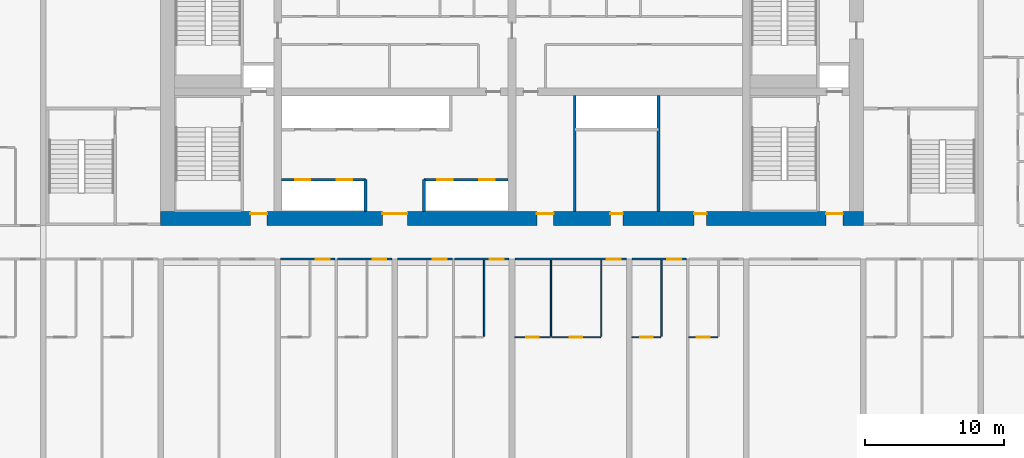
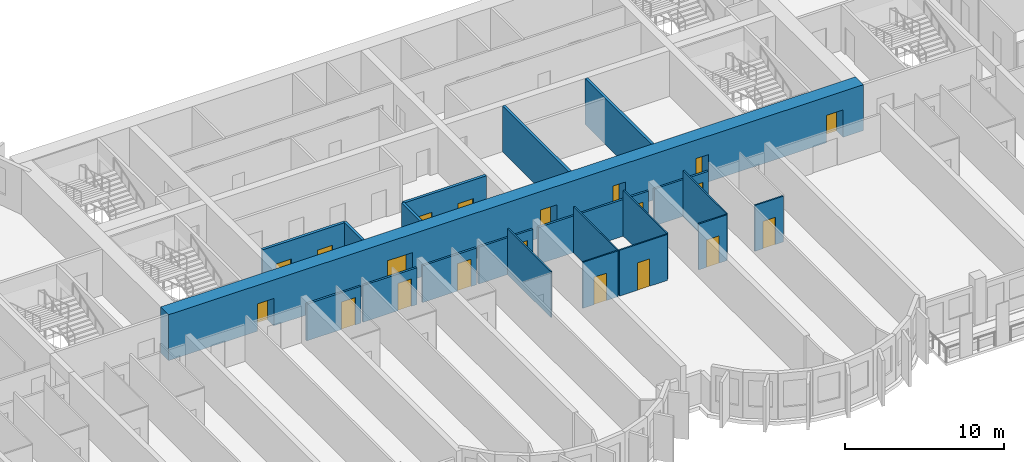
# One storey, part 5 of 15: 21 walls, 20 doors, 20 openings.
"""IFC4 building model written with IfcOpenShell, lengths in metres."""

import ifcopenshell
import ifcopenshell.guid

model = None  # the IFC model being written
_history = None  # IfcOwnerHistory: only IFC2X3 demands one
_inside = {}  # id of a spatial element -> (the spatial element, [elements in it])
_under = {}  # id of a project, library or spatial element -> (it, [spatial elements below it])
_declared = {}  # id of a project -> (the project, [libraries it declares])
_typed = {}  # id of a type object -> (the type object, [elements of that type])
_made_of = {}  # id of a material, layer set ... -> (it, [elements and type objects made of it])


def new_model(schema):
    """Start an empty IFC model of exactly this schema.

    Asked for "IFC4X3", IfcOpenShell would pick the latest addendum, in which some entities
    have other attributes; the version numbers below select the first issue.
    IFC2X3 requires an IfcOwnerHistory on every rooted entity: one is made here for all.
    """
    global model, _history
    if schema == "IFC4X3":
        model = ifcopenshell.file(schema_version=(4, 3, 0, 0))
    else:
        model = ifcopenshell.file(schema=schema)
    _inside.clear()
    _under.clear()
    _declared.clear()
    _typed.clear()
    _made_of.clear()
    _history = None
    if model.schema == "IFC2X3":
        org = make("IfcOrganization", Name="unknown")
        user = make(
            "IfcPersonAndOrganization",
            ThePerson=make("IfcPerson", FamilyName="unknown"),
            TheOrganization=org,
        )
        app = make(
            "IfcApplication",
            ApplicationDeveloper=org,
            Version="unknown",
            ApplicationFullName="unknown",
            ApplicationIdentifier="unknown",
        )
        _history = make(
            "IfcOwnerHistory",
            OwningUser=user,
            OwningApplication=app,
            ChangeAction="ADDED",
            CreationDate=0,
        )
    return model


def make(cls, **values):
    """One entity of the class cls with the attributes given. An attribute that is None is left unset."""
    return model.create_entity(
        cls, **{name: value for name, value in values.items() if value is not None}
    )


def rooted(cls, **values):
    """An entity with a GlobalId (a new one), such as an element, a storey or a relation."""
    return make(cls, GlobalId=ifcopenshell.guid.new(), OwnerHistory=_history, **values)


def si_unit(unit_type, name, prefix=None):
    """IfcSIUnit, for example si_unit("LENGTHUNIT", "METRE", prefix="MILLI")."""
    return make("IfcSIUnit", UnitType=unit_type, Prefix=prefix, Name=name)


def assignment(units):
    """IfcUnitAssignment: the units of a project."""
    return None if units is None else make("IfcUnitAssignment", Units=units)


def point(xyz):
    """IfcCartesianPoint."""
    return None if xyz is None else make("IfcCartesianPoint", Coordinates=xyz)


def direction(xyz):
    """IfcDirection."""
    return None if xyz is None else make("IfcDirection", DirectionRatios=xyz)


def frame(location, z_axis=None, x_axis=None):
    """IfcAxis2Placement3D, a coordinate frame: its origin and axes. An axis left out is left unset."""
    return make(
        "IfcAxis2Placement3D",
        Location=point(location),
        Axis=direction(z_axis),
        RefDirection=direction(x_axis),
    )


def frame_2d(location, x_axis=None):
    """IfcAxis2Placement2D, a coordinate frame in the plane: its origin and x axis."""
    return make(
        "IfcAxis2Placement2D", Location=point(location), RefDirection=direction(x_axis)
    )


def origin():
    """The frame at (0, 0, 0) with its axes left unset."""
    return frame((0.0, 0.0, 0.0))


def place(relative_to, where):
    """IfcLocalPlacement: puts the frame where relative to a parent placement (None: the world)."""
    return make(
        "IfcLocalPlacement", PlacementRelTo=relative_to, RelativePlacement=where
    )


def context(
    kind, dimensions, precision=None, world=None, true_north=None, identifier=None
):
    """IfcGeometricRepresentationContext, for example the 3D "Model" context."""
    return make(
        "IfcGeometricRepresentationContext",
        ContextIdentifier=identifier,
        ContextType=kind,
        CoordinateSpaceDimension=dimensions,
        Precision=precision,
        WorldCoordinateSystem=world,
        TrueNorth=true_north,
    )


def subcontext(parent, identifier, kind, view, scale=None):
    """IfcGeometricRepresentationSubContext, for example "Body" below "Model"."""
    return make(
        "IfcGeometricRepresentationSubContext",
        ContextIdentifier=identifier,
        ContextType=kind,
        ParentContext=parent,
        TargetScale=scale,
        TargetView=view,
    )


def project(units=None, contexts=None):
    """IfcProject with its units and contexts."""
    return rooted(
        "IfcProject",
        Name="project",
        RepresentationContexts=contexts,
        UnitsInContext=assignment(units),
    )


def spatial(cls, under=None, at=None, **own):
    """A site, building, storey or space (cls), placed at a placement, below another one or the project."""
    s = rooted(cls, ObjectPlacement=at, **own)
    if under is not None:
        _under.setdefault(under.id(), (under, []))[1].append(s)
    return s


def profile(cls, at=None, kind="AREA", **sizes):
    """A parametric profile (cls). Its sizes go by their IFC names, for example OverallWidth=200.0."""
    return make(cls, ProfileType=kind, Position=at, **sizes)


def rectangle(**sizes):
    """IfcRectangleProfileDef."""
    return profile("IfcRectangleProfileDef", **sizes)


def extrude(swept, where, along, depth):
    """IfcExtrudedAreaSolid: the profile swept, set in the frame where, extruded along a direction by depth."""
    return make(
        "IfcExtrudedAreaSolid",
        SweptArea=swept,
        Position=where,
        ExtrudedDirection=direction(along),
        Depth=depth,
    )


def shape(context_of_items, identifier, shape_type, items):
    """IfcShapeRepresentation: the items that make up one representation, for example the "Body"."""
    return make(
        "IfcShapeRepresentation",
        ContextOfItems=context_of_items,
        RepresentationIdentifier=identifier,
        RepresentationType=shape_type,
        Items=items,
    )


def source(mapping_origin, context_of_items, identifier, shape_type, items):
    """IfcRepresentationMap: a shape defined once, which mapped items show again and again."""
    return make(
        "IfcRepresentationMap",
        MappingOrigin=mapping_origin,
        MappedRepresentation=shape(context_of_items, identifier, shape_type, items),
    )


def transform(
    local_origin,
    x_axis=None,
    y_axis=None,
    z_axis=None,
    scale=None,
    scale2=None,
    scale3=None,
    uniform=True,
):
    """IfcCartesianTransformationOperator3D, or its non-uniform kind. x_axis, y_axis, z_axis: its Axis1, 2, 3."""
    if uniform:
        return make(
            "IfcCartesianTransformationOperator3D",
            Axis1=direction(x_axis),
            Axis2=direction(y_axis),
            LocalOrigin=point(local_origin),
            Scale=scale,
            Axis3=direction(z_axis),
        )
    return make(
        "IfcCartesianTransformationOperator3DnonUniform",
        Axis1=direction(x_axis),
        Axis2=direction(y_axis),
        LocalOrigin=point(local_origin),
        Scale=scale,
        Axis3=direction(z_axis),
        Scale2=scale2,
        Scale3=scale3,
    )


def mapped(mapping_source, mapping_target):
    """IfcMappedItem: shows the shape of a source again, moved by a transform."""
    return make(
        "IfcMappedItem", MappingSource=mapping_source, MappingTarget=mapping_target
    )


def material(Name=None, Category=None):
    """IfcMaterial."""
    return make("IfcMaterial", Name=Name, Category=Category)


def layer(
    of_material, thickness, ventilated=None, Name=None, Category=None, Priority=None
):
    """IfcMaterialLayer: one layer of a wall or slab, of a material (None: an air gap)."""
    return make(
        "IfcMaterialLayer",
        Material=of_material,
        LayerThickness=thickness,
        IsVentilated=ventilated,
        Name=Name,
        Category=Category,
        Priority=Priority,
    )


def layer_set(layers, Name=None):
    """IfcMaterialLayerSet."""
    return make("IfcMaterialLayerSet", MaterialLayers=layers, LayerSetName=Name)


def made_of(thing, what):
    """Note that an element or type object is made of a material, layer set ...; save() writes the relation."""
    if what is not None:
        _made_of.setdefault(what.id(), (what, []))[1].append(thing)
    return thing


def type_object(cls, material=None, **own):
    """A type object (cls), such as IfcWallType, which elements share."""
    return made_of(rooted(cls, **own), material)


def element(
    cls,
    number,
    at=None,
    inside=None,
    cuts=None,
    type_object=None,
    material=None,
    context=None,
    identifier="Body",
    shape_type=None,
    held_by="IfcProductDefinitionShape",
    body=None,
    shapes=None,
    **own,
):
    """One element of the class cls, such as IfcWall. Its Tag is "e" and its number.

    at: its placement. inside: the storey or other place that contains it. cuts: it is an
    opening in that element (IfcRelVoidsElement). A single representation is given by context,
    identifier, shape_type and body (its items); several are given by shapes. held_by: the class
    of the entity that holds the representations. save() writes the other relations.
    """
    e = rooted(cls, Tag="e%d" % number, ObjectPlacement=at, **own)
    if body is not None:
        shapes = [shape(context, identifier, shape_type, body)]
    if shapes is not None:
        e.Representation = make(held_by, Representations=shapes)
    if inside is not None:
        _inside.setdefault(inside.id(), (inside, []))[1].append(e)
    if cuts is not None:
        rooted(
            "IfcRelVoidsElement", RelatingBuildingElement=cuts, RelatedOpeningElement=e
        )
    if type_object is not None:
        _typed.setdefault(type_object.id(), (type_object, []))[1].append(e)
    return made_of(e, material)


def fill(opening, filler):
    """IfcRelFillsElement: the door or window that sits in an opening."""
    return rooted(
        "IfcRelFillsElement",
        RelatingOpeningElement=opening,
        RelatedBuildingElement=filler,
    )


def aggregate(whole, parts):
    """IfcRelAggregates: a whole, such as a stair, and the parts it consists of."""
    return rooted("IfcRelAggregates", RelatingObject=whole, RelatedObjects=parts)


def save(model, path):
    """Write the relations noted so far, then the file.

    IfcRelAggregates (storeys below a building ...), IfcRelContainedInSpatialStructure (elements
    in a storey), IfcRelDefinesByType, IfcRelAssociatesMaterial and IfcRelDeclares: one each for
    every whole, place, type object, material and project.
    """
    for whole, parts in _under.values():
        aggregate(whole, parts)
    for where, things in _inside.values():
        rooted(
            "IfcRelContainedInSpatialStructure",
            RelatedElements=things,
            RelatingStructure=where,
        )
    for kind, things in _typed.values():
        rooted("IfcRelDefinesByType", RelatedObjects=things, RelatingType=kind)
    for what, things in _made_of.values():
        rooted("IfcRelAssociatesMaterial", RelatedObjects=things, RelatingMaterial=what)
    for by, libraries in _declared.values():
        rooted("IfcRelDeclares", RelatingContext=by, RelatedDefinitions=libraries)
    model.write(path)


model = new_model("IFC4")

# Units and contexts
model_context = context("Model", 3, precision=1e-05, world=origin(), true_north=direction((0.0, 1.0)))
body_context = subcontext(model_context, "Body", "Model", "MODEL_VIEW")
ifc_project = project(units=[si_unit("LENGTHUNIT", "METRE"), si_unit("AREAUNIT", "SQUARE_METRE"), si_unit("VOLUMEUNIT", "CUBIC_METRE"), si_unit("PLANEANGLEUNIT", "RADIAN"), si_unit("MASSUNIT", "GRAM", prefix="KILO")], contexts=[model_context])

# Site, building, storey
site_placement = place(None, origin())
site = spatial("IfcSite", under=ifc_project, at=site_placement, CompositionType="ELEMENT")
building_placement = place(site_placement, origin())
building = spatial("IfcBuilding", under=site, at=building_placement, Name="Vanashikhar Sky Hotel", CompositionType="ELEMENT")
storey_placement = place(building_placement, frame((0.0, 0.0, 77.199951171875)))
storey = spatial("IfcBuildingStorey", under=building, at=storey_placement, Name="L18", CompositionType="ELEMENT", Elevation=77.199951171875)

# Wall, openings, doors
ifc_material_1 = material(Name="Concrete M80", Category="concrete")
ifc_layer_1 = layer(ifc_material_1, 1.0)
ifc_layer_set_1 = layer_set([ifc_layer_1], Name="RC core shell wall 1000 Concrete M80")
wall_type_1 = type_object("IfcWallType", Name="RC core shell wall 1000 Concrete M80", PredefinedType="SHEAR", material=ifc_layer_set_1)
shared_shape_1 = source(origin(), body_context, "Body", "SweptSolid", [
    extrude(rectangle(XDim=50.400146484375, YDim=1.0, at=frame_2d((25.2001953125, 0.0))), origin(), (0.0, 0.0, 1.0), 3.52001953125),
])
wall_1_placement = place(storey_placement, frame((25.199951171875, 22.5, 0.0), z_axis=(0.0, 0.0, 1.0), x_axis=(1.0, 0.0, 0.0)))
wall_1 = element("IfcWall", 1, at=wall_1_placement, inside=storey, type_object=wall_type_1, Name="KW-L18-KS", PredefinedType="SHEAR", context=body_context, shape_type="MappedRepresentation", body=[
    mapped(shared_shape_1, transform((0.0, 0.0, 0.0), scale=1.0)),
])
shared_shape_2 = source(origin(), body_context, "Body", "SweptSolid", [
    extrude(rectangle(XDim=1.800048828125, YDim=2.10009765625, at=frame_2d((0.89990234375, 1.050048828125))), frame((0.0, 0.510009765625, 0.0), z_axis=(0.0, -1.0, 0.0), x_axis=(1.0, 0.0, 0.0)), (0.0, 0.0, 1.0), 1.02001953125),
])
opening_1_placement = place(wall_1_placement, frame((15.89990234375, 0.0, 0.0)))
opening_1 = element("IfcOpeningElement", 2, at=opening_1_placement, cuts=wall_1, Name="Opening DC-3-A", PredefinedType="OPENING", context=body_context, shape_type="MappedRepresentation", body=[
    mapped(shared_shape_2, transform((0.0, 0.0, 0.0), scale=1.0)),
])
shared_shape_3 = source(origin(), body_context, "Body", "SweptSolid", [
    extrude(rectangle(XDim=1.199951171875, YDim=2.10009765625, at=frame_2d((0.60009765625, 1.050048828125))), frame((0.0, 0.510009765625, 0.0), z_axis=(0.0, -1.0, 0.0), x_axis=(1.0, 0.0, 0.0)), (0.0, 0.0, 1.0), 1.02001953125),
])
opening_2_placement = place(wall_1_placement, frame((26.987060546875, 0.0, 0.0)))
opening_2 = element("IfcOpeningElement", 3, at=opening_2_placement, cuts=wall_1, Name="Opening DC-4-B", PredefinedType="OPENING", context=body_context, shape_type="MappedRepresentation", body=[
    mapped(shared_shape_3, transform((0.0, 0.0, 0.0), scale=1.0)),
])
shared_shape_4 = source(origin(), body_context, "Body", "SweptSolid", [
    extrude(rectangle(XDim=0.89990234375, YDim=2.10009765625, at=frame_2d((0.449951171875, 1.050048828125))), frame((0.0, 0.510009765625, 0.0), z_axis=(0.0, -1.0, 0.0), x_axis=(1.0, 0.0, 0.0)), (0.0, 0.0, 1.0), 1.02001953125),
])
opening_3_placement = place(wall_1_placement, frame((32.25, 0.0, 0.0)))
opening_3 = element("IfcOpeningElement", 4, at=opening_3_placement, cuts=wall_1, Name="Opening DC-4-A", PredefinedType="OPENING", context=body_context, shape_type="MappedRepresentation", body=[
    mapped(shared_shape_4, transform((0.0, 0.0, 0.0), scale=1.0)),
])
opening_4_placement = place(wall_1_placement, frame((38.261962890625, 0.0, 0.0)))
opening_4 = element("IfcOpeningElement", 5, at=opening_4_placement, cuts=wall_1, Name="Opening DC-4-A", PredefinedType="OPENING", context=body_context, shape_type="MappedRepresentation", body=[
    mapped(shared_shape_4, transform((0.0, 0.0, 0.0), scale=1.0)),
])
opening_5_placement = place(wall_1_placement, frame((6.43798828125, 0.0, 0.0)))
opening_5 = element("IfcOpeningElement", 6, at=opening_5_placement, cuts=wall_1, Name="Opening DC-2", PredefinedType="OPENING", context=body_context, shape_type="MappedRepresentation", body=[
    mapped(shared_shape_3, transform((0.0, 0.0, 0.0), scale=1.0)),
])
opening_6_placement = place(wall_1_placement, frame((47.72509765625, 0.0, 0.0)))
opening_6 = element("IfcOpeningElement", 7, at=opening_6_placement, cuts=wall_1, Name="Opening DC-2", PredefinedType="OPENING", context=body_context, shape_type="MappedRepresentation", body=[
    mapped(shared_shape_3, transform((0.0, 0.0, 0.0), scale=1.0)),
])
ifc_material_2 = material(Name="Glass", Category="glass")
door_type_1 = type_object("IfcDoorType", Name="Lift lobby entrance door 1800 FD30S", OperationType="NOTDEFINED", PredefinedType="DOOR", material=ifc_material_2)
shared_shape_5 = source(origin(), body_context, "Body", "SweptSolid", [
    extrude(rectangle(XDim=1.800048828125, YDim=2.10009765625, at=frame_2d((0.89990234375, 1.050048828125))), frame((0.0, 0.375, 0.0), z_axis=(0.0, -1.0, 0.0), x_axis=(1.0, 0.0, 0.0)), (0.0, 0.0, 1.0), 0.050048828125),
])
door_1_placement = place(opening_1_placement, origin())
door_1 = element("IfcDoor", 8, at=door_1_placement, inside=storey, type_object=door_type_1, Name="Lift lobby entrance door 1800 FD30S", OperationType="DOUBLE_DOOR_SINGLE_SWING", OverallHeight=2.10009765625, OverallWidth=1.800048828125, PredefinedType="DOOR", context=body_context, shape_type="MappedRepresentation", body=[
    mapped(shared_shape_5, transform((0.0, 0.0, 0.0), scale=1.0)),
])
fill(opening_1, door_1)
ifc_material_3 = material(Name="Steel", Category="steel")
door_type_2 = type_object("IfcDoorType", Name="Service door 1200 FD60", OperationType="NOTDEFINED", PredefinedType="DOOR", material=ifc_material_3)
shared_shape_6 = source(origin(), body_context, "Body", "SweptSolid", [
    extrude(rectangle(XDim=1.199951171875, YDim=2.10009765625, at=frame_2d((0.60009765625, 1.050048828125))), frame((0.0, 0.375, 0.0), z_axis=(0.0, -1.0, 0.0), x_axis=(1.0, 0.0, 0.0)), (0.0, 0.0, 1.0), 0.050048828125),
])
door_2_placement = place(opening_2_placement, origin())
door_2 = element("IfcDoor", 9, at=door_2_placement, inside=storey, type_object=door_type_2, Name="Service door 1200 FD60", OperationType="SINGLE_SWING_LEFT", OverallHeight=2.10009765625, OverallWidth=1.199951171875, PredefinedType="DOOR", context=body_context, shape_type="MappedRepresentation", body=[
    mapped(shared_shape_6, transform((0.0, 0.0, 0.0), scale=1.0)),
])
fill(opening_2, door_2)
door_type_3 = type_object("IfcDoorType", Name="Firefighting lobby door 1200 FD120", OperationType="NOTDEFINED", PredefinedType="DOOR", material=ifc_material_3)
door_3_placement = place(opening_5_placement, origin())
door_3 = element("IfcDoor", 10, at=door_3_placement, inside=storey, type_object=door_type_3, Name="Firefighting lobby door 1200 FD120", OperationType="SINGLE_SWING_LEFT", OverallHeight=2.10009765625, OverallWidth=1.199951171875, PredefinedType="DOOR", context=body_context, shape_type="MappedRepresentation", body=[
    mapped(shared_shape_6, transform((0.0, 0.0, 0.0), scale=1.0)),
])
fill(opening_5, door_3)
door_4_placement = place(opening_6_placement, origin())
door_4 = element("IfcDoor", 11, at=door_4_placement, inside=storey, type_object=door_type_3, Name="Firefighting lobby door 1200 FD120", OperationType="SINGLE_SWING_RIGHT", OverallHeight=2.10009765625, OverallWidth=1.199951171875, PredefinedType="DOOR", context=body_context, shape_type="MappedRepresentation", body=[
    mapped(shared_shape_6, transform((0.0, 0.0, 0.0), scale=1.0)),
])
fill(opening_6, door_4)
door_type_4 = type_object("IfcDoorType", Name="Service door 900 FD60", OperationType="NOTDEFINED", PredefinedType="DOOR", material=ifc_material_3)
shared_shape_7 = source(origin(), body_context, "Body", "SweptSolid", [
    extrude(rectangle(XDim=0.89990234375, YDim=2.10009765625, at=frame_2d((0.449951171875, 1.050048828125))), frame((0.0, 0.375, 0.0), z_axis=(0.0, -1.0, 0.0), x_axis=(1.0, 0.0, 0.0)), (0.0, 0.0, 1.0), 0.050048828125),
])
door_5_placement = place(opening_3_placement, origin())
door_5 = element("IfcDoor", 12, at=door_5_placement, inside=storey, type_object=door_type_4, Name="Service door 900 FD60", OperationType="SINGLE_SWING_RIGHT", OverallHeight=2.10009765625, OverallWidth=0.89990234375, PredefinedType="DOOR", context=body_context, shape_type="MappedRepresentation", body=[
    mapped(shared_shape_7, transform((0.0, 0.0, 0.0), scale=1.0)),
])
fill(opening_3, door_5)
door_6_placement = place(opening_4_placement, origin())
door_6 = element("IfcDoor", 13, at=door_6_placement, inside=storey, type_object=door_type_4, Name="Service door 900 FD60", OperationType="SINGLE_SWING_LEFT", OverallHeight=2.10009765625, OverallWidth=0.89990234375, PredefinedType="DOOR", context=body_context, shape_type="MappedRepresentation", body=[
    mapped(shared_shape_7, transform((0.0, 0.0, 0.0), scale=1.0)),
])
fill(opening_4, door_6)

ifc_material_4 = material(Name="Concrete M40", Category="concrete")
ifc_layer_2 = layer(ifc_material_4, 0.199951171875)
ifc_layer_set_2 = layer_set([ifc_layer_2], Name="Shaft wall 200")
wall_type_2 = type_object("IfcWallType", Name="Shaft wall 200", PredefinedType="SOLIDWALL", material=ifc_layer_set_2)
shared_shape_8 = source(origin(), body_context, "Body", "SweptSolid", [
    extrude(rectangle(XDim=6.0, YDim=0.199951171875, at=frame_2d((3.0, 0.0))), origin(), (0.0, 0.0, 1.0), 3.52001953125),
])
wall_2_placement = place(storey_placement, frame((44.10009765625, 25.300048828125, 0.0), z_axis=(0.0, 0.0, 1.0), x_axis=(1.0, 0.0, 0.0)))
wall_2 = element("IfcWall", 14, at=wall_2_placement, inside=storey, type_object=wall_type_2, Name="Shaft wall 200", PredefinedType="SOLIDWALL", context=body_context, shape_type="MappedRepresentation", body=[
    mapped(shared_shape_8, transform((0.0, 0.0, 0.0), scale=1.0)),
])
shared_shape_9 = source(origin(), body_context, "Body", "SweptSolid", [
    extrude(rectangle(XDim=1.10009765625, YDim=2.10009765625, at=frame_2d((0.550048828125, 1.050048828125))), frame((0.0, 0.10986328125, 0.0), z_axis=(0.0, -1.0, 0.0), x_axis=(1.0, 0.0, 0.0)), (0.0, 0.0, 1.0), 0.219970703125),
])
opening_7_placement = place(wall_2_placement, frame((0.949951171875, 0.0, 0.0)))
opening_7 = element("IfcOpeningElement", 15, at=opening_7_placement, cuts=wall_2, Name="Opening LD", PredefinedType="OPENING", context=body_context, shape_type="MappedRepresentation", body=[
    mapped(shared_shape_9, transform((0.0, 0.0, 0.0), scale=1.0)),
])
opening_8_placement = place(wall_2_placement, frame((3.949951171875, 0.0, 0.0)))
opening_8 = element("IfcOpeningElement", 16, at=opening_8_placement, cuts=wall_2, Name="Opening LD", PredefinedType="OPENING", context=body_context, shape_type="MappedRepresentation", body=[
    mapped(shared_shape_9, transform((0.0, 0.0, 0.0), scale=1.0)),
])
ifc_material_5 = material(Name="Stainless steel", Category="steel")
door_type_5 = type_object("IfcDoorType", Name="Lift landing door 1100", OperationType="NOTDEFINED", PredefinedType="DOOR", material=ifc_material_5)
shared_shape_10 = source(origin(), body_context, "Body", "SweptSolid", [
    extrude(rectangle(XDim=1.10009765625, YDim=2.10009765625, at=frame_2d((0.550048828125, 1.050048828125))), frame((0.0, 0.02490234375, 0.0), z_axis=(0.0, -1.0, 0.0), x_axis=(1.0, 0.0, 0.0)), (0.0, 0.0, 1.0), 0.050048828125),
])
door_7_placement = place(opening_7_placement, origin())
door_7 = element("IfcDoor", 17, at=door_7_placement, inside=storey, type_object=door_type_5, Name="Lift landing door 1100", OperationType="SLIDING_TO_LEFT", OverallHeight=2.10009765625, OverallWidth=1.10009765625, PredefinedType="DOOR", context=body_context, shape_type="MappedRepresentation", body=[
    mapped(shared_shape_10, transform((0.0, 0.0, 0.0), scale=1.0)),
])
fill(opening_7, door_7)
door_8_placement = place(opening_8_placement, origin())
door_8 = element("IfcDoor", 18, at=door_8_placement, inside=storey, type_object=door_type_5, Name="Lift landing door 1100", OperationType="SLIDING_TO_RIGHT", OverallHeight=2.10009765625, OverallWidth=1.10009765625, PredefinedType="DOOR", context=body_context, shape_type="MappedRepresentation", body=[
    mapped(shared_shape_10, transform((0.0, 0.0, 0.0), scale=1.0)),
])
fill(opening_8, door_8)

shared_shape_11 = source(origin(), body_context, "Body", "SweptSolid", [
    extrude(rectangle(XDim=6.02490234375, YDim=0.199951171875, at=frame_2d((3.012451171875, 0.0))), origin(), (0.0, 0.0, 1.0), 3.52001953125),
])
wall_3_placement = place(storey_placement, frame((33.875, 25.300048828125, 0.0), z_axis=(0.0, 0.0, 1.0), x_axis=(1.0, 0.0, 0.0)))
wall_3 = element("IfcWall", 19, at=wall_3_placement, inside=storey, type_object=wall_type_2, Name="Shaft wall 200", PredefinedType="SOLIDWALL", context=body_context, shape_type="MappedRepresentation", body=[
    mapped(shared_shape_11, transform((0.0, 0.0, 0.0), scale=1.0)),
])
opening_9_placement = place(wall_3_placement, frame((0.97509765625, 0.0, 0.0)))
opening_9 = element("IfcOpeningElement", 20, at=opening_9_placement, cuts=wall_3, Name="Opening LD", PredefinedType="OPENING", context=body_context, shape_type="MappedRepresentation", body=[
    mapped(shared_shape_9, transform((0.0, 0.0, 0.0), scale=1.0)),
])
opening_10_placement = place(wall_3_placement, frame((3.97509765625, 0.0, 0.0)))
opening_10 = element("IfcOpeningElement", 21, at=opening_10_placement, cuts=wall_3, Name="Opening LD", PredefinedType="OPENING", context=body_context, shape_type="MappedRepresentation", body=[
    mapped(shared_shape_9, transform((0.0, 0.0, 0.0), scale=1.0)),
])
door_9_placement = place(opening_9_placement, origin())
door_9 = element("IfcDoor", 22, at=door_9_placement, inside=storey, type_object=door_type_5, Name="Lift landing door 1100", OperationType="SLIDING_TO_LEFT", OverallHeight=2.10009765625, OverallWidth=1.10009765625, PredefinedType="DOOR", context=body_context, shape_type="MappedRepresentation", body=[
    mapped(shared_shape_10, transform((0.0, 0.0, 0.0), scale=1.0)),
])
fill(opening_9, door_9)
door_10_placement = place(opening_10_placement, origin())
door_10 = element("IfcDoor", 23, at=door_10_placement, inside=storey, type_object=door_type_5, Name="Lift landing door 1100", OperationType="SLIDING_TO_RIGHT", OverallHeight=2.10009765625, OverallWidth=1.10009765625, PredefinedType="DOOR", context=body_context, shape_type="MappedRepresentation", body=[
    mapped(shared_shape_10, transform((0.0, 0.0, 0.0), scale=1.0)),
])
fill(opening_10, door_10)

# Walls
shared_shape_12 = source(origin(), body_context, "Body", "SweptSolid", [
    extrude(rectangle(XDim=2.300048828125, YDim=0.199951171875, at=frame_2d((1.14990234375, 0.0))), origin(), (0.0, 0.0, 1.0), 3.52001953125),
])
for number, where, z_axis, x_axis, name in (
    (24, (39.89990234375, 23.0, 0.0), (0.0, 0.0, 1.0), (0.0, 1.0, 0.0), "Shaft wall 200"),
    (25, (44.10009765625, 23.0, 0.0), (0.0, 0.0, 1.0), (0.0, 1.0, 0.0), "Shaft wall 200"),
):
    element("IfcWall", number, at=place(storey_placement, frame(where, z_axis=z_axis, x_axis=x_axis)), inside=storey, type_object=wall_type_2, Name=name, PredefinedType="SOLIDWALL", context=body_context, shape_type="MappedRepresentation", body=[
        mapped(shared_shape_12, transform((0.0, 0.0, 0.0), scale=1.0)),
    ])
ifc_material_6 = material(Name="Gypsum board partition")
ifc_layer_3 = layer(ifc_material_6, 0.14990234375)
ifc_layer_set_3 = layer_set([ifc_layer_3], Name="Service partition 150")
wall_type_3 = type_object("IfcWallType", Name="Service partition 150", PredefinedType="PARTITIONING", material=ifc_layer_set_3)
shared_shape_13 = source(origin(), body_context, "Body", "SweptSolid", [
    extrude(rectangle(XDim=8.324951171875, YDim=0.199951171875, at=frame_2d((4.16259765625, 0.0))), origin(), (0.0, 0.0, 1.0), 3.52001953125),
])
for number, where, z_axis, x_axis, name in (
    (26, (54.89990234375, 23.0, 0.0), (0.0, 0.0, 1.0), (0.0, 1.0, 0.0), "Service partition 150"),
    (27, (60.89990234375, 23.0, 0.0), (0.0, 0.0, 1.0), (0.0, 1.0, 0.0), "Service partition 150"),
):
    element("IfcWall", number, at=place(storey_placement, frame(where, z_axis=z_axis, x_axis=x_axis)), inside=storey, type_object=wall_type_3, Name=name, PredefinedType="PARTITIONING", context=body_context, shape_type="MappedRepresentation", body=[
        mapped(shared_shape_13, transform((0.0, 0.0, 0.0), scale=1.0)),
    ])

# Wall, opening, door
ifc_material_7 = material(Name="Gypsum plasterboard partition")
ifc_layer_4 = layer(ifc_material_7, 0.10009765625)
ifc_layer_set_4 = layer_set([ifc_layer_4], Name="Wet room partition 100")
wall_type_4 = type_object("IfcWallType", Name="Wet room partition 100", PredefinedType="PARTITIONING", material=ifc_layer_set_4)
shared_shape_14 = source(origin(), body_context, "Body", "SweptSolid", [
    extrude(rectangle(XDim=3.5, YDim=0.10009765625, at=frame_2d((1.75, 0.0))), origin(), (0.0, 0.0, 1.0), 3.52001953125),
])
wall_4_placement = place(storey_placement, frame((53.25, 14.0, 0.0), z_axis=(0.0, 0.0, 1.0), x_axis=(1.0, 0.0, 0.0)))
wall_4 = element("IfcWall", 28, at=wall_4_placement, inside=storey, type_object=wall_type_4, Name="W-L18-PW039", PredefinedType="PARTITIONING", context=body_context, shape_type="MappedRepresentation", body=[
    mapped(shared_shape_14, transform((0.0, 0.0, 0.0), scale=1.0)),
])
shared_shape_15 = source(origin(), body_context, "Body", "SweptSolid", [
    extrude(rectangle(XDim=0.89990234375, YDim=2.10009765625, at=frame_2d((0.449951171875, 1.050048828125))), frame((0.0, 0.06005859375, 0.0), z_axis=(0.0, -1.0, 0.0), x_axis=(1.0, 0.0, 0.0)), (0.0, 0.0, 1.0), 0.1201171875),
])
opening_11_placement = place(wall_4_placement, frame((1.300048828125, 0.0, 0.0)))
opening_11 = element("IfcOpeningElement", 29, at=opening_11_placement, cuts=wall_4, Name="Opening D-02", PredefinedType="OPENING", context=body_context, shape_type="MappedRepresentation", body=[
    mapped(shared_shape_15, transform((0.0, 0.0, 0.0), scale=1.0)),
])
ifc_material_8 = material(Name="Timber door", Category="wood")
door_type_6 = type_object("IfcDoorType", Name="Internal door 900", OperationType="NOTDEFINED", PredefinedType="DOOR", material=ifc_material_8)
shared_shape_16 = source(origin(), body_context, "Body", "SweptSolid", [
    extrude(rectangle(XDim=0.89990234375, YDim=2.10009765625, at=frame_2d((0.449951171875, 1.050048828125))), frame((0.0, 0.02490234375, 0.0), z_axis=(0.0, -1.0, 0.0), x_axis=(1.0, 0.0, 0.0)), (0.0, 0.0, 1.0), 0.050048828125),
])
door_11_placement = place(opening_11_placement, origin())
door_11 = element("IfcDoor", 30, at=door_11_placement, inside=storey, type_object=door_type_6, Name="D-L18-022", OperationType="SINGLE_SWING_RIGHT", OverallHeight=2.10009765625, OverallWidth=0.89990234375, PredefinedType="DOOR", context=body_context, shape_type="MappedRepresentation", body=[
    mapped(shared_shape_16, transform((0.0, 0.0, 0.0), scale=1.0)),
])
fill(opening_11, door_11)

shared_shape_17 = source(origin(), body_context, "Body", "SweptSolid", [
    extrude(rectangle(XDim=2.074951171875, YDim=0.10009765625, at=frame_2d((1.03759765625, 0.0))), origin(), (0.0, 0.0, 1.0), 3.52001953125),
])
wall_5_placement = place(storey_placement, frame((59.0, 14.0, 0.0), z_axis=(0.0, 0.0, 1.0), x_axis=(1.0, 0.0, 0.0)))
wall_5 = element("IfcWall", 31, at=wall_5_placement, inside=storey, type_object=wall_type_4, Name="W-L18-PW043", PredefinedType="PARTITIONING", context=body_context, shape_type="MappedRepresentation", body=[
    mapped(shared_shape_17, transform((0.0, 0.0, 0.0), scale=1.0)),
])
opening_12_placement = place(wall_5_placement, frame((0.5869140625, 0.0, 0.0)))
opening_12 = element("IfcOpeningElement", 32, at=opening_12_placement, cuts=wall_5, Name="Opening D-02", PredefinedType="OPENING", context=body_context, shape_type="MappedRepresentation", body=[
    mapped(shared_shape_15, transform((0.0, 0.0, 0.0), scale=1.0)),
])
door_12_placement = place(opening_12_placement, origin())
door_12 = element("IfcDoor", 33, at=door_12_placement, inside=storey, type_object=door_type_6, Name="D-L18-025", OperationType="SINGLE_SWING_RIGHT", OverallHeight=2.10009765625, OverallWidth=0.89990234375, PredefinedType="DOOR", context=body_context, shape_type="MappedRepresentation", body=[
    mapped(shared_shape_16, transform((0.0, 0.0, 0.0), scale=1.0)),
])
fill(opening_12, door_12)

wall_6_placement = place(storey_placement, frame((63.074951171875, 14.0, 0.0), z_axis=(0.0, 0.0, 1.0), x_axis=(1.0, 0.0, 0.0)))
wall_6 = element("IfcWall", 34, at=wall_6_placement, inside=storey, type_object=wall_type_4, Name="W-L18-PW046", PredefinedType="PARTITIONING", context=body_context, shape_type="MappedRepresentation", body=[
    mapped(shared_shape_17, transform((0.0, 0.0, 0.0), scale=1.0)),
])
opening_13_placement = place(wall_6_placement, frame((0.587890625, 0.0, 0.0)))
opening_13 = element("IfcOpeningElement", 35, at=opening_13_placement, cuts=wall_6, Name="Opening D-02", PredefinedType="OPENING", context=body_context, shape_type="MappedRepresentation", body=[
    mapped(shared_shape_15, transform((0.0, 0.0, 0.0), scale=1.0)),
])
door_13_placement = place(opening_13_placement, origin())
door_13 = element("IfcDoor", 36, at=door_13_placement, inside=storey, type_object=door_type_6, Name="D-L18-027", OperationType="SINGLE_SWING_RIGHT", OverallHeight=2.10009765625, OverallWidth=0.89990234375, PredefinedType="DOOR", context=body_context, shape_type="MappedRepresentation", body=[
    mapped(shared_shape_16, transform((0.0, 0.0, 0.0), scale=1.0)),
])
fill(opening_13, door_13)

ifc_layer_5 = layer(ifc_material_7, 0.14990234375)
ifc_layer_set_5 = layer_set([ifc_layer_5], Name="Corridor and demising partition 150")
wall_type_5 = type_object("IfcWallType", Name="Corridor and demising partition 150", PredefinedType="PARTITIONING", material=ifc_layer_set_5)
shared_shape_18 = source(origin(), body_context, "Body", "SweptSolid", [
    extrude(rectangle(XDim=3.925048828125, YDim=0.14990234375, at=frame_2d((1.96240234375, 0.0))), origin(), (0.0, 0.0, 1.0), 2.820068359375),
])
wall_7_placement = place(storey_placement, frame((33.800048828125, 19.60009765625, 0.0), z_axis=(0.0, 0.0, 1.0), x_axis=(1.0, 0.0, 0.0)))
wall_7 = element("IfcWall", 37, at=wall_7_placement, inside=storey, type_object=wall_type_5, Name="W-L18-PW025", PredefinedType="PARTITIONING", context=body_context, shape_type="MappedRepresentation", body=[
    mapped(shared_shape_18, transform((0.0, 0.0, 0.0), scale=1.0)),
])
shared_shape_19 = source(origin(), body_context, "Body", "SweptSolid", [
    extrude(rectangle(XDim=1.0, YDim=2.10009765625, at=frame_2d((0.5, 1.050048828125))), frame((0.0, 0.0849609375, 0.0), z_axis=(0.0, -1.0, 0.0), x_axis=(1.0, 0.0, 0.0)), (0.0, 0.0, 1.0), 0.169921875),
])
opening_14_placement = place(wall_7_placement, frame((2.52490234375, 0.0, 0.0)))
opening_14 = element("IfcOpeningElement", 38, at=opening_14_placement, cuts=wall_7, Name="Opening D-01", PredefinedType="OPENING", context=body_context, shape_type="MappedRepresentation", body=[
    mapped(shared_shape_19, transform((0.0, 0.0, 0.0), scale=1.0)),
])
ifc_material_9 = material(Name="Timber fire door", Category="wood")
door_type_7 = type_object("IfcDoorType", Name="Guest entry door 1000 FD30S", OperationType="NOTDEFINED", PredefinedType="DOOR", material=ifc_material_9)
shared_shape_20 = source(origin(), body_context, "Body", "SweptSolid", [
    extrude(rectangle(XDim=1.0, YDim=2.10009765625, at=frame_2d((0.5, 1.050048828125))), frame((0.0, 0.02490234375, 0.0), z_axis=(0.0, -1.0, 0.0), x_axis=(1.0, 0.0, 0.0)), (0.0, 0.0, 1.0), 0.050048828125),
])
door_14_placement = place(opening_14_placement, origin())
door_14 = element("IfcDoor", 39, at=door_14_placement, inside=storey, type_object=door_type_7, Name="D-L18-015", OperationType="SINGLE_SWING_RIGHT", OverallHeight=2.10009765625, OverallWidth=1.0, PredefinedType="DOOR", context=body_context, shape_type="MappedRepresentation", body=[
    mapped(shared_shape_20, transform((0.0, 0.0, 0.0), scale=1.0)),
])
fill(opening_14, door_14)

wall_8_placement = place(storey_placement, frame((37.875, 19.60009765625, 0.0), z_axis=(0.0, 0.0, 1.0), x_axis=(1.0, 0.0, 0.0)))
wall_8 = element("IfcWall", 40, at=wall_8_placement, inside=storey, type_object=wall_type_5, Name="W-L18-PW028", PredefinedType="PARTITIONING", context=body_context, shape_type="MappedRepresentation", body=[
    mapped(shared_shape_18, transform((0.0, 0.0, 0.0), scale=1.0)),
])
opening_15_placement = place(wall_8_placement, frame((2.52490234375, 0.0, 0.0)))
opening_15 = element("IfcOpeningElement", 41, at=opening_15_placement, cuts=wall_8, Name="Opening D-01", PredefinedType="OPENING", context=body_context, shape_type="MappedRepresentation", body=[
    mapped(shared_shape_19, transform((0.0, 0.0, 0.0), scale=1.0)),
])
door_15_placement = place(opening_15_placement, origin())
door_15 = element("IfcDoor", 42, at=door_15_placement, inside=storey, type_object=door_type_7, Name="D-L18-017", OperationType="SINGLE_SWING_RIGHT", OverallHeight=2.10009765625, OverallWidth=1.0, PredefinedType="DOOR", context=body_context, shape_type="MappedRepresentation", body=[
    mapped(shared_shape_20, transform((0.0, 0.0, 0.0), scale=1.0)),
])
fill(opening_15, door_15)

wall_9_placement = place(storey_placement, frame((42.199951171875, 19.60009765625, 0.0), z_axis=(0.0, 0.0, 1.0), x_axis=(1.0, 0.0, 0.0)))
wall_9 = element("IfcWall", 43, at=wall_9_placement, inside=storey, type_object=wall_type_5, Name="W-L18-PW032", PredefinedType="PARTITIONING", context=body_context, shape_type="MappedRepresentation", body=[
    mapped(shared_shape_18, transform((0.0, 0.0, 0.0), scale=1.0)),
])
opening_16_placement = place(wall_9_placement, frame((2.52490234375, 0.0, 0.0)))
opening_16 = element("IfcOpeningElement", 44, at=opening_16_placement, cuts=wall_9, Name="Opening D-01", PredefinedType="OPENING", context=body_context, shape_type="MappedRepresentation", body=[
    mapped(shared_shape_19, transform((0.0, 0.0, 0.0), scale=1.0)),
])
door_16_placement = place(opening_16_placement, origin())
door_16 = element("IfcDoor", 45, at=door_16_placement, inside=storey, type_object=door_type_7, Name="D-L18-019", OperationType="SINGLE_SWING_RIGHT", OverallHeight=2.10009765625, OverallWidth=1.0, PredefinedType="DOOR", context=body_context, shape_type="MappedRepresentation", body=[
    mapped(shared_shape_20, transform((0.0, 0.0, 0.0), scale=1.0)),
])
fill(opening_16, door_16)

wall_10_placement = place(storey_placement, frame((46.27490234375, 19.60009765625, 0.0), z_axis=(0.0, 0.0, 1.0), x_axis=(1.0, 0.0, 0.0)))
wall_10 = element("IfcWall", 46, at=wall_10_placement, inside=storey, type_object=wall_type_5, Name="W-L18-PW035", PredefinedType="PARTITIONING", context=body_context, shape_type="MappedRepresentation", body=[
    mapped(shared_shape_18, transform((0.0, 0.0, 0.0), scale=1.0)),
])
opening_17_placement = place(wall_10_placement, frame((2.52490234375, 0.0, 0.0)))
opening_17 = element("IfcOpeningElement", 47, at=opening_17_placement, cuts=wall_10, Name="Opening D-01", PredefinedType="OPENING", context=body_context, shape_type="MappedRepresentation", body=[
    mapped(shared_shape_19, transform((0.0, 0.0, 0.0), scale=1.0)),
])
door_17_placement = place(opening_17_placement, origin())
door_17 = element("IfcDoor", 48, at=door_17_placement, inside=storey, type_object=door_type_7, Name="D-L18-021", OperationType="SINGLE_SWING_RIGHT", OverallHeight=2.10009765625, OverallWidth=1.0, PredefinedType="DOOR", context=body_context, shape_type="MappedRepresentation", body=[
    mapped(shared_shape_20, transform((0.0, 0.0, 0.0), scale=1.0)),
])
fill(opening_17, door_17)

wall_11_placement = place(storey_placement, frame((59.0, 19.60009765625, 0.0), z_axis=(0.0, 0.0, 1.0), x_axis=(1.0, 0.0, 0.0)))
wall_11 = element("IfcWall", 49, at=wall_11_placement, inside=storey, type_object=wall_type_5, Name="W-L18-PW044", PredefinedType="PARTITIONING", context=body_context, shape_type="MappedRepresentation", body=[
    mapped(shared_shape_18, transform((0.0, 0.0, 0.0), scale=1.0)),
])
opening_18_placement = place(wall_11_placement, frame((2.52490234375, 0.0, 0.0)))
opening_18 = element("IfcOpeningElement", 50, at=opening_18_placement, cuts=wall_11, Name="Opening D-01", PredefinedType="OPENING", context=body_context, shape_type="MappedRepresentation", body=[
    mapped(shared_shape_19, transform((0.0, 0.0, 0.0), scale=1.0)),
])
door_18_placement = place(opening_18_placement, origin())
door_18 = element("IfcDoor", 51, at=door_18_placement, inside=storey, type_object=door_type_7, Name="D-L18-026", OperationType="SINGLE_SWING_RIGHT", OverallHeight=2.10009765625, OverallWidth=1.0, PredefinedType="DOOR", context=body_context, shape_type="MappedRepresentation", body=[
    mapped(shared_shape_20, transform((0.0, 0.0, 0.0), scale=1.0)),
])
fill(opening_18, door_18)

shared_shape_21 = source(origin(), body_context, "Body", "SweptSolid", [
    extrude(rectangle(XDim=8.0, YDim=0.14990234375, at=frame_2d((4.0, 0.0))), origin(), (0.0, 0.0, 1.0), 2.820068359375),
])
wall_12_placement = place(storey_placement, frame((50.60009765625, 19.60009765625, 0.0), z_axis=(0.0, 0.0, 1.0), x_axis=(1.0, 0.0, 0.0)))
wall_12 = element("IfcWall", 52, at=wall_12_placement, inside=storey, type_object=wall_type_5, Name="W-L18-PW041", PredefinedType="PARTITIONING", context=body_context, shape_type="MappedRepresentation", body=[
    mapped(shared_shape_21, transform((0.0, 0.0, 0.0), scale=1.0)),
])
opening_19_placement = place(wall_12_placement, frame((6.60009765625, 0.0, 0.0)))
opening_19 = element("IfcOpeningElement", 53, at=opening_19_placement, cuts=wall_12, Name="Opening D-01", PredefinedType="OPENING", context=body_context, shape_type="MappedRepresentation", body=[
    mapped(shared_shape_19, transform((0.0, 0.0, 0.0), scale=1.0)),
])
door_19_placement = place(opening_19_placement, origin())
door_19 = element("IfcDoor", 54, at=door_19_placement, inside=storey, type_object=door_type_7, Name="D-L18-024", OperationType="SINGLE_SWING_RIGHT", OverallHeight=2.10009765625, OverallWidth=1.0, PredefinedType="DOOR", context=body_context, shape_type="MappedRepresentation", body=[
    mapped(shared_shape_20, transform((0.0, 0.0, 0.0), scale=1.0)),
])
fill(opening_19, door_19)

shared_shape_22 = source(origin(), body_context, "Body", "SweptSolid", [
    extrude(rectangle(XDim=2.5498046875, YDim=0.10009765625, at=frame_2d((1.27490234375, 0.0))), origin(), (0.0, 0.0, 1.0), 3.52001953125),
])
wall_13_placement = place(storey_placement, frame((50.60009765625, 14.0, 0.0), z_axis=(0.0, 0.0, 1.0), x_axis=(1.0, 0.0, 0.0)))
wall_13 = element("IfcWall", 55, at=wall_13_placement, inside=storey, type_object=wall_type_4, Name="W-L18-PW040", PredefinedType="PARTITIONING", context=body_context, shape_type="MappedRepresentation", body=[
    mapped(shared_shape_22, transform((0.0, 0.0, 0.0), scale=1.0)),
])
opening_20_placement = place(wall_13_placement, frame((0.824951171875, 0.0, 0.0)))
opening_20 = element("IfcOpeningElement", 56, at=opening_20_placement, cuts=wall_13, Name="Opening D-02", PredefinedType="OPENING", context=body_context, shape_type="MappedRepresentation", body=[
    mapped(shared_shape_15, transform((0.0, 0.0, 0.0), scale=1.0)),
])
door_20_placement = place(opening_20_placement, origin())
door_20 = element("IfcDoor", 57, at=door_20_placement, inside=storey, type_object=door_type_6, Name="D-L18-023", OperationType="SINGLE_SWING_RIGHT", OverallHeight=2.10009765625, OverallWidth=0.89990234375, PredefinedType="DOOR", context=body_context, shape_type="MappedRepresentation", body=[
    mapped(shared_shape_16, transform((0.0, 0.0, 0.0), scale=1.0)),
])
fill(opening_20, door_20)

# Walls
shared_shape_23 = source(origin(), body_context, "Body", "SweptSolid", [
    extrude(rectangle(XDim=5.449951171875, YDim=0.10009765625, at=frame_2d((2.72509765625, 0.0))), origin(), (0.0, 0.0, 1.0), 3.52001953125),
])
for number, where, z_axis, x_axis, name in (
    (58, (48.39990234375, 14.074951171875, 0.0), (0.0, 0.0, 1.0), (0.0, 1.0, 0.0), "W-L18-PW033"),
    (59, (56.800048828125, 14.074951171875, 0.0), (0.0, 0.0, 1.0), (0.0, 1.0, 0.0), "W-L18-PW037"),
    (60, (53.199951171875, 14.074951171875, 0.0), (0.0, 0.0, 1.0), (0.0, 1.0, 0.0), "W-L18-PW038"),
    (61, (61.125, 14.074951171875, 0.0), (0.0, 0.0, 1.0), (0.0, 1.0, 0.0), "W-L18-PW042"),
):
    element("IfcWall", number, at=place(storey_placement, frame(where, z_axis=z_axis, x_axis=x_axis)), inside=storey, type_object=wall_type_4, Name=name, PredefinedType="PARTITIONING", context=body_context, shape_type="MappedRepresentation", body=[
        mapped(shared_shape_23, transform((0.0, 0.0, 0.0), scale=1.0)),
    ])

save(model, "model.ifc")
